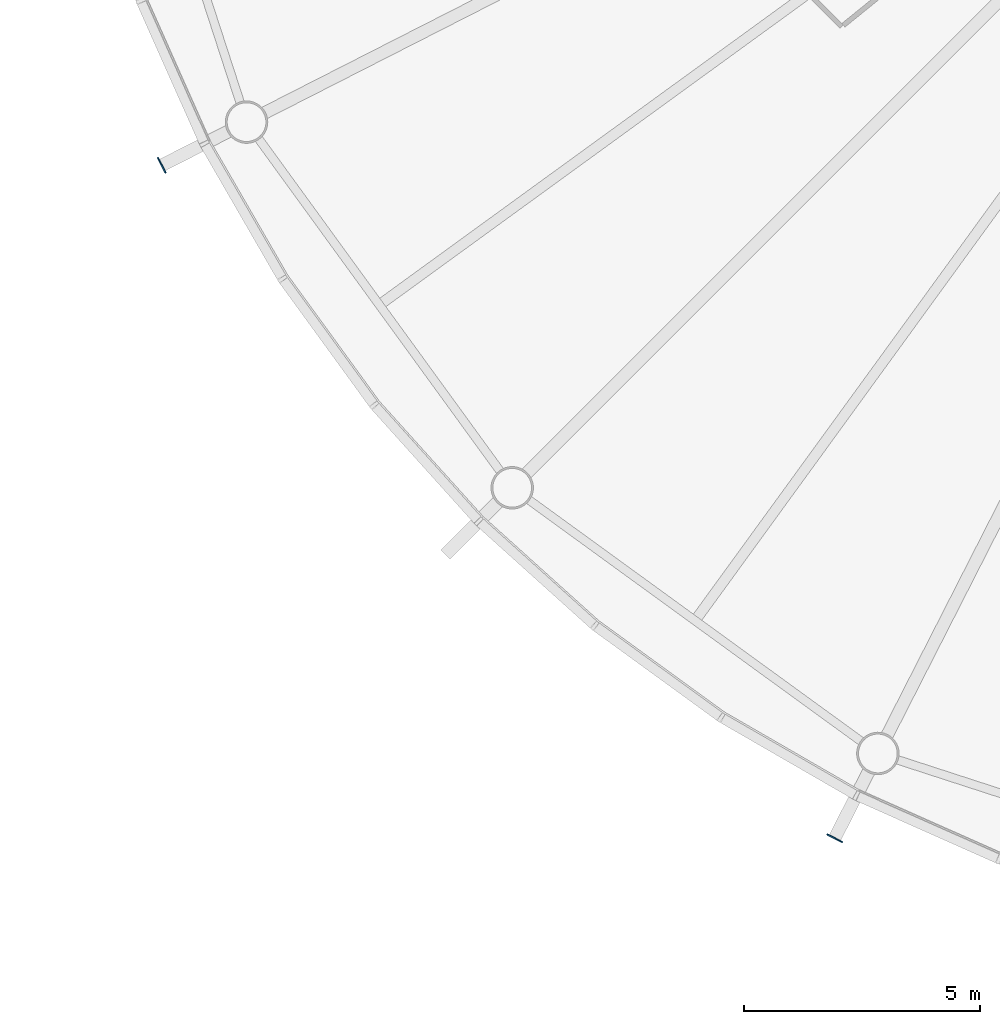
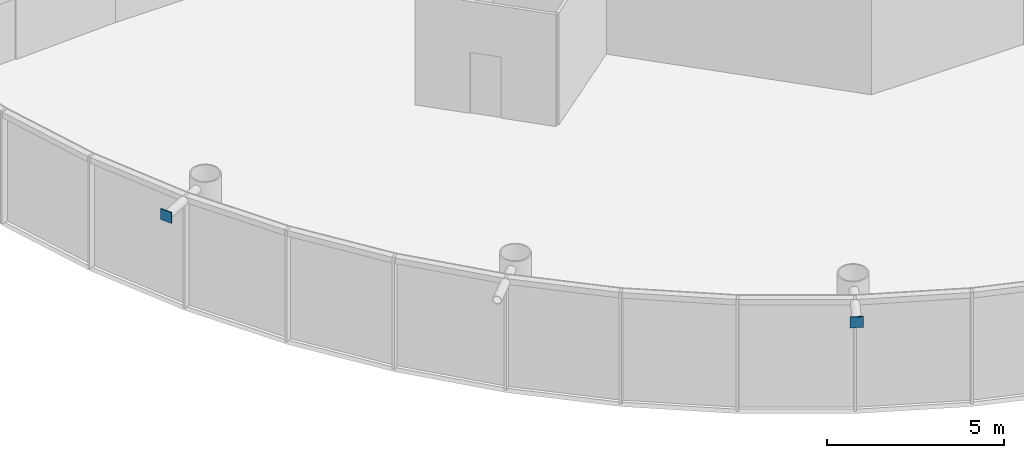
# One storey, part 7 of 18: 2 discrete accessories.
"""IFC4 building model written with IfcOpenShell, lengths in metres."""

from ifc_helpers import new_model, si_unit, direction, frame, origin, origin_2d, place, context, subcontext, project, spatial, rectangle, extrude, material, element, save


model = new_model("IFC4")

# Units and contexts
model_context = context("Model", 3, precision=1e-05, world=origin(), true_north=direction((0.0, 1.0)))
body_context = subcontext(model_context, "Body", "Model", "MODEL_VIEW")
ifc_project = project(units=[si_unit("LENGTHUNIT", "METRE"), si_unit("AREAUNIT", "SQUARE_METRE"), si_unit("VOLUMEUNIT", "CUBIC_METRE"), si_unit("PLANEANGLEUNIT", "RADIAN"), si_unit("MASSUNIT", "GRAM", prefix="KILO")], contexts=[model_context])

# Site, building, storey
site_placement = place(None, origin())
site = spatial("IfcSite", under=ifc_project, at=site_placement, CompositionType="ELEMENT")
building_placement = place(site_placement, origin())
building = spatial("IfcBuilding", under=site, at=building_placement, Name="Entoto Ring Tower", CompositionType="ELEMENT")
storey_placement = place(building_placement, frame((0.0, 0.0, 352.0)))
storey = spatial("IfcBuildingStorey", under=building, at=storey_placement, Name="L81", CompositionType="ELEMENT", Elevation=352.0)

# Discrete accessories
ifc_material = material(Name="Steel S355", Category="steel")
for number, where, z_axis, x_axis, name in (
    (1, (60.93994140625, 65.193115234375, 3.52685546875), (0.0, 0.0, 1.0), (-0.891006524188, -0.45399049974, 0.0), "Node strut end plate DS2 ring 26 12"),
    (2, (75.193115234375, 50.93994140625, 3.52685546875), (0.0, 0.0, 1.0), (-0.45399049974, -0.891006524188, 0.0), "Node strut end plate DS2 ring 26 14"),
):
    element("IfcDiscreteAccessory", number, at=place(storey_placement, frame(where, z_axis=z_axis, x_axis=x_axis)), inside=storey, material=ifc_material, Name=name, PredefinedType="BRACKET", context=body_context, shape_type="SweptSolid", body=[
        extrude(rectangle(XDim=0.030029296875, YDim=0.373046875, at=origin_2d()), origin(), (0.0, 0.0, 1.0), 0.373046875),
    ])

save(model, "model.ifc")
